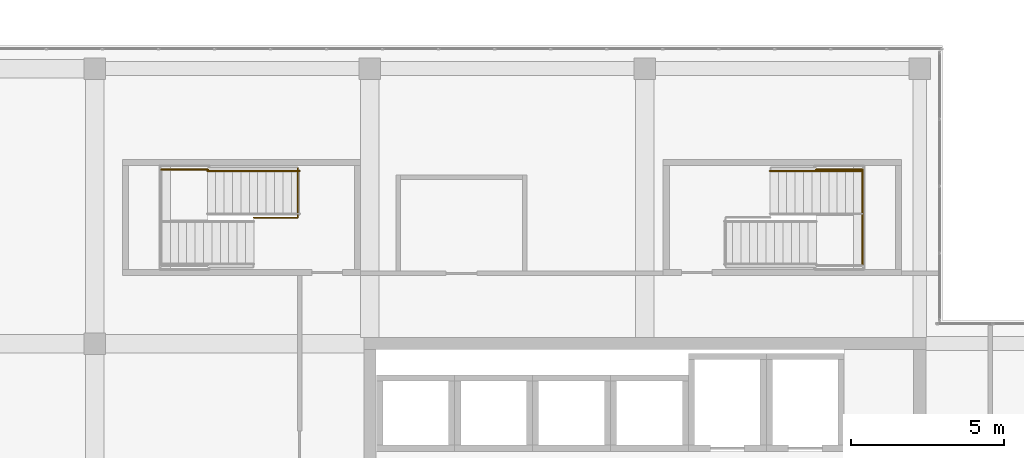
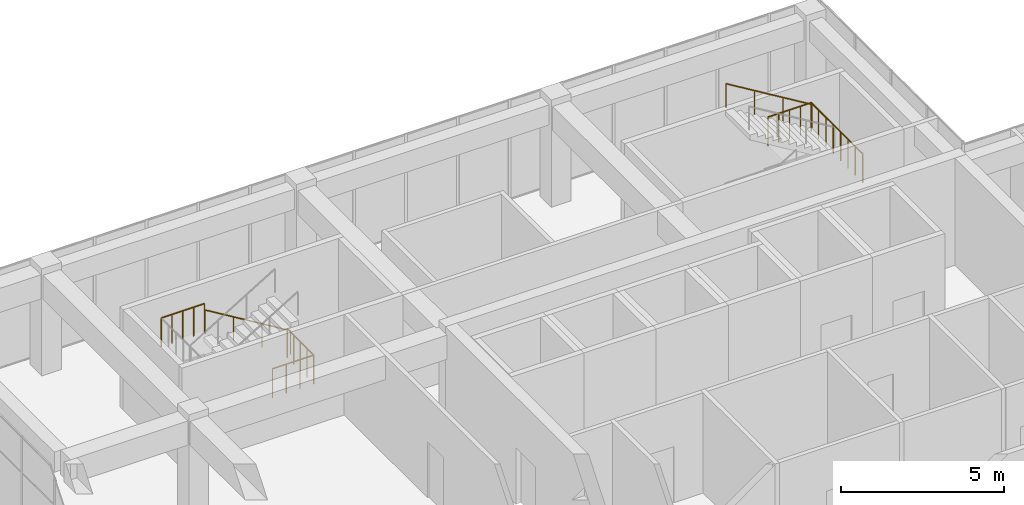
# One storey, part 43 of 43: 6 railings.
"""IFC4 building model written with IfcOpenShell, lengths in metres."""

from ifc_helpers import new_model, si_unit, direction, frame, origin, origin_2d, place, context, subcontext, project, spatial, circle, extrude, material, type_object, element, save


model = new_model("IFC4")

# Units and contexts
model_context = context("Model", 3, precision=1e-05, world=origin(), true_north=direction((0.0, 1.0)))
body_context = subcontext(model_context, "Body", "Model", "MODEL_VIEW")
ifc_project = project(units=[si_unit("LENGTHUNIT", "METRE"), si_unit("AREAUNIT", "SQUARE_METRE"), si_unit("VOLUMEUNIT", "CUBIC_METRE"), si_unit("PLANEANGLEUNIT", "RADIAN"), si_unit("MASSUNIT", "GRAM", prefix="KILO")], contexts=[model_context])

# Site, building, storey
site_placement = place(None, origin())
site = spatial("IfcSite", under=ifc_project, at=site_placement, CompositionType="ELEMENT")
building_placement = place(site_placement, origin())
building = spatial("IfcBuilding", under=site, at=building_placement, Name="Tuart Plaza Theatre", CompositionType="ELEMENT")
storey_placement = place(building_placement, frame((0.0, 0.0, 33.5)))
storey = spatial("IfcBuildingStorey", under=building, at=storey_placement, Name="L08", CompositionType="ELEMENT", Elevation=33.5)

# Railings
ifc_material_1 = material(Name="Steel Grade C350L0", Category="steel")
railing_type_1 = type_object("IfcRailingType", Name="RAILING Guard 1100", PredefinedType="GUARDRAIL", material=ifc_material_1)
railing_1_placement = place(storey_placement, frame((139.1298828125, 85.550048828125, 2.0)))
element("IfcRailing", 1, at=railing_1_placement, inside=storey, type_object=railing_type_1, Name="GR321", PredefinedType="GUARDRAIL", context=body_context, shape_type="SweptSolid", body=[
    extrude(circle(Radius=0.02490234375, at=origin_2d()), frame((0.0, 0.0, 1.0751953125), z_axis=(0.0, 1.0, 0.0), x_axis=(-1.0, 0.0, 0.0)), (0.0, 0.0, 1.0), 3.14990234375),
    extrude(circle(Radius=0.02001953125, at=origin_2d()), origin(), (0.0, 0.0, 1.0), 1.050048828125),
    extrude(circle(Radius=0.02001953125, at=origin_2d()), frame((0.0, 0.449951171875, 0.0)), (0.0, 0.0, 1.0), 1.050048828125),
    extrude(circle(Radius=0.02001953125, at=origin_2d()), frame((0.0, 0.89990234375, 0.0)), (0.0, 0.0, 1.0), 1.050048828125),
    extrude(circle(Radius=0.02001953125, at=origin_2d()), frame((0.0, 1.349853515625, 0.0)), (0.0, 0.0, 1.0), 1.050048828125),
    extrude(circle(Radius=0.02001953125, at=origin_2d()), frame((0.0, 1.800048828125, 0.0)), (0.0, 0.0, 1.0), 1.050048828125),
    extrude(circle(Radius=0.02001953125, at=origin_2d()), frame((0.0, 2.25, 0.0)), (0.0, 0.0, 1.0), 1.050048828125),
    extrude(circle(Radius=0.02001953125, at=origin_2d()), frame((0.0, 2.699951171875, 0.0)), (0.0, 0.0, 1.0), 1.050048828125),
    extrude(circle(Radius=0.02001953125, at=origin_2d()), frame((0.0, 3.14990234375, 0.0)), (0.0, 0.0, 1.0), 1.050048828125),
])
railing_2_placement = place(storey_placement, frame((139.1298828125, 88.699951171875, 2.0)))
element("IfcRailing", 2, at=railing_2_placement, inside=storey, type_object=railing_type_1, Name="GR322", PredefinedType="GUARDRAIL", context=body_context, shape_type="SweptSolid", body=[
    extrude(circle(Radius=0.02490234375, at=origin_2d()), frame((0.0, 0.0, 1.0751953125), z_axis=(-1.0, 0.0, 0.0), x_axis=(0.0, -1.0, 0.0)), (0.0, 0.0, 1.0), 1.52978515625),
    extrude(circle(Radius=0.02001953125, at=origin_2d()), origin(), (0.0, 0.0, 1.0), 1.050048828125),
    extrude(circle(Radius=0.02001953125, at=origin_2d()), frame((-0.38232421875, 0.0, 0.0)), (0.0, 0.0, 1.0), 1.050048828125),
    extrude(circle(Radius=0.02001953125, at=origin_2d()), frame((-0.764892578125, 0.0, 0.0)), (0.0, 0.0, 1.0), 1.050048828125),
    extrude(circle(Radius=0.02001953125, at=origin_2d()), frame((-1.1474609375, 0.0, 0.0)), (0.0, 0.0, 1.0), 1.050048828125),
    extrude(circle(Radius=0.02001953125, at=origin_2d()), frame((-1.52978515625, 0.0, 0.0)), (0.0, 0.0, 1.0), 1.050048828125),
])
railing_3_placement = place(storey_placement, frame((120.64501953125, 88.75, 0.0)))
element("IfcRailing", 3, at=railing_3_placement, inside=storey, type_object=railing_type_1, Name="GR392", PredefinedType="GUARDRAIL", context=body_context, shape_type="SweptSolid", body=[
    extrude(circle(Radius=0.02490234375, at=origin_2d()), frame((0.0, 0.0, 1.0751953125), z_axis=(0.0, -1.0, 0.0), x_axis=(1.0, 0.0, 0.0)), (0.0, 0.0, 1.0), 1.625),
    extrude(circle(Radius=0.02490234375, at=origin_2d()), frame((0.0, -1.625, 1.0751953125), z_axis=(-1.0, 0.0, 0.0), x_axis=(0.0, -1.0, 0.0)), (0.0, 0.0, 1.0), 1.455078125),
    extrude(circle(Radius=0.02001953125, at=origin_2d()), origin(), (0.0, 0.0, 1.0), 1.050048828125),
    extrude(circle(Radius=0.02001953125, at=origin_2d()), frame((0.0, -0.40625, 0.0)), (0.0, 0.0, 1.0), 1.050048828125),
    extrude(circle(Radius=0.02001953125, at=origin_2d()), frame((0.0, -0.8125, 0.0)), (0.0, 0.0, 1.0), 1.050048828125),
    extrude(circle(Radius=0.02001953125, at=origin_2d()), frame((0.0, -1.21875, 0.0)), (0.0, 0.0, 1.0), 1.050048828125),
    extrude(circle(Radius=0.02001953125, at=origin_2d()), frame((0.0, -1.625, 0.0)), (0.0, 0.0, 1.0), 1.050048828125),
    extrude(circle(Radius=0.02001953125, at=origin_2d()), frame((-0.485107421875, -1.625, 0.0)), (0.0, 0.0, 1.0), 1.050048828125),
    extrude(circle(Radius=0.02001953125, at=origin_2d()), frame((-0.969970703125, -1.625, 0.0)), (0.0, 0.0, 1.0), 1.050048828125),
    extrude(circle(Radius=0.02001953125, at=origin_2d()), frame((-1.455078125, -1.625, 0.0)), (0.0, 0.0, 1.0), 1.050048828125),
])
railing_4_placement = place(storey_placement, frame((117.699951171875, 88.699951171875, 2.0)))
element("IfcRailing", 4, at=railing_4_placement, inside=storey, type_object=railing_type_1, Name="GR399", PredefinedType="GUARDRAIL", context=body_context, shape_type="SweptSolid", body=[
    extrude(circle(Radius=0.02490234375, at=origin_2d()), frame((0.0, 0.0, 1.0751953125), z_axis=(-1.0, 0.0, 0.0), x_axis=(0.0, -1.0, 0.0)), (0.0, 0.0, 1.0), 1.530029296875),
    extrude(circle(Radius=0.02001953125, at=origin_2d()), origin(), (0.0, 0.0, 1.0), 1.050048828125),
    extrude(circle(Radius=0.02001953125, at=origin_2d()), frame((-0.382568359375, 0.0, 0.0)), (0.0, 0.0, 1.0), 1.050048828125),
    extrude(circle(Radius=0.02001953125, at=origin_2d()), frame((-0.76513671875, 0.0, 0.0)), (0.0, 0.0, 1.0), 1.050048828125),
    extrude(circle(Radius=0.02001953125, at=origin_2d()), frame((-1.1474609375, 0.0, 0.0)), (0.0, 0.0, 1.0), 1.050048828125),
    extrude(circle(Radius=0.02001953125, at=origin_2d()), frame((-1.530029296875, 0.0, 0.0)), (0.0, 0.0, 1.0), 1.050048828125),
])
ifc_material_2 = material(Name="Steel Grade C350L0", Category="steel")
railing_type_2 = type_object("IfcRailingType", Name="RAILING Handrail 900", PredefinedType="HANDRAIL", material=ifc_material_2)
for number, where, name in (
    (5, (139.1201171875, 88.64990234375, 2.166748046875), "HR214"),
    (6, (120.705078125, 88.64990234375, 0.166748046875), "HR276"),
):
    element("IfcRailing", number, at=place(storey_placement, frame(where)), inside=storey, type_object=railing_type_2, Name=name, PredefinedType="HANDRAIL", context=body_context, shape_type="SweptSolid", body=[
        extrude(circle(Radius=0.0224609375, at=origin_2d()), frame((0.0, 0.0, 0.87744140625), z_axis=(-0.855219153138, 0.0, 0.518266533848), x_axis=(0.0, -1.0, 0.0)), (0.0, 0.0, 1.0), 3.537353515625),
        extrude(circle(Radius=0.01513671875, at=origin_2d()), origin(), (0.0, 0.0, 1.0), 0.85498046875),
        extrude(circle(Radius=0.01513671875, at=origin_2d()), frame((-1.00830078125, 0.0, 0.611083984375)), (0.0, 0.0, 1.0), 0.85498046875),
        extrude(circle(Radius=0.01513671875, at=origin_2d()), frame((-2.016845703125, 0.0, 1.22216796875)), (0.0, 0.0, 1.0), 0.85498046875),
        extrude(circle(Radius=0.01513671875, at=origin_2d()), frame((-3.025146484375, 0.0, 1.833251953125)), (0.0, 0.0, 1.0), 0.85498046875),
    ])

save(model, "model.ifc")
